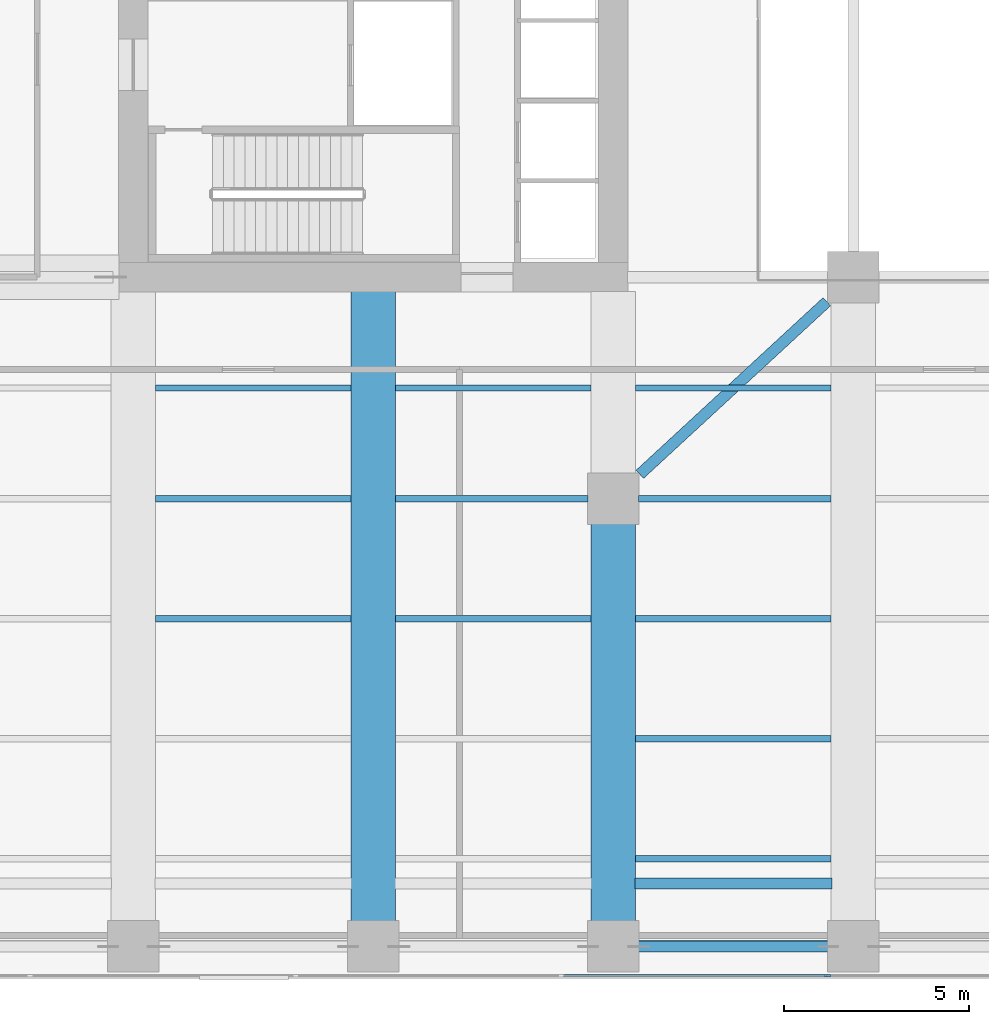
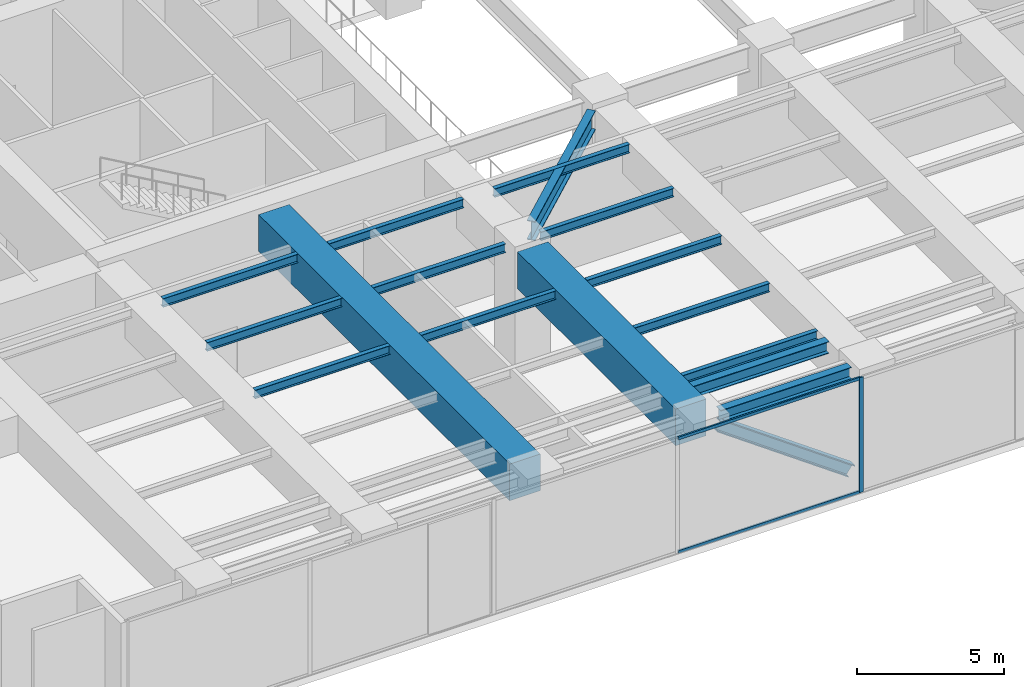
# One storey, part 3 of 31: 16 beams, 4 members, 1 element without a shape of its own.
"""IFC4 building model written with IfcOpenShell, lengths in metres."""

from ifc_helpers import new_model, si_unit, direction, frame, origin, origin_2d, place, context, subcontext, project, spatial, rectangle, i_section, extrude, material, layer, layer_set, material_profile, profile_set, type_object, element, aggregate, save


model = new_model("IFC4")

# Units and contexts
model_context = context("Model", 3, precision=1e-05, world=origin(), true_north=direction((0.0, 1.0)))
body_context = subcontext(model_context, "Body", "Model", "MODEL_VIEW")
ifc_project = project(units=[si_unit("LENGTHUNIT", "METRE"), si_unit("AREAUNIT", "SQUARE_METRE"), si_unit("VOLUMEUNIT", "CUBIC_METRE"), si_unit("PLANEANGLEUNIT", "RADIAN"), si_unit("MASSUNIT", "GRAM", prefix="KILO")], contexts=[model_context])

# Site, building, storey
site_placement = place(None, origin())
site = spatial("IfcSite", under=ifc_project, at=site_placement, CompositionType="ELEMENT")
building_placement = place(site_placement, origin())
building = spatial("IfcBuilding", under=site, at=building_placement, Name="Putna Gate Headquarters", CompositionType="ELEMENT")
storey_placement = place(building_placement, frame((0.0, 0.0, 81.0)))
storey = spatial("IfcBuildingStorey", under=building, at=storey_placement, Name="L19", CompositionType="ELEMENT", Elevation=81.0)

# Beams
ifc_material_1 = material(Name="Steel S355J2", Category="steel")
ifc_material_profile_1 = material_profile(ifc_material_1, i_section(OverallWidth=0.300048828125, OverallDepth=0.800048828125, WebThickness=0.017578125, FlangeThickness=0.032958984375, at=origin_2d()), Name="Steel S355J2")
ifc_profile_set_1 = profile_set([ifc_material_profile_1], Name="Steel S355J2")
beam_type_1 = type_object("IfcBeamType", Name="BM-GIRD-P-HEB800", PredefinedType="USERDEFINED", material=ifc_profile_set_1)
beam_1_placement = place(storey_placement, frame((26.718017578125, 13.662841796875, 4.364990234375), z_axis=(0.734811593747, 0.678271274414, 0.0), x_axis=(-0.678271274414, 0.734811593747, 0.0)))
element("IfcBeam", 1, at=beam_1_placement, inside=storey, type_object=beam_type_1, Name="L19 Core Flank Collector Tie Girder SW", ObjectType="GIRDER", PredefinedType="USERDEFINED", context=body_context, shape_type="SweptSolid", body=[
    extrude(i_section(OverallWidth=0.300048828125, OverallDepth=0.800048828125, WebThickness=0.017578125, FlangeThickness=0.032958984375, at=origin_2d()), origin(), (0.0, 0.0, 1.0), 6.8916015625),
])
ifc_material_profile_2 = material_profile(ifc_material_1, i_section(OverallWidth=0.169921875, OverallDepth=0.360107421875, WebThickness=0.008056640625, FlangeThickness=0.0126953125, at=origin_2d()), Name="Steel S355J2")
ifc_profile_set_2 = profile_set([ifc_material_profile_2], Name="Steel S355J2")
beam_type_2 = type_object("IfcBeamType", Name="BM-SEC-Z2-IPE360", PredefinedType="BEAM", material=ifc_profile_set_2)
for number, where, z_axis, x_axis, name in (
    (2, (13.60400390625, 9.75, 4.5849609375), (1.0, 0.0, 0.0), (0.0, 1.0, 0.0), "L19 South Secondary Beam 2"),
    (3, (13.60400390625, 13.0, 4.5849609375), (1.0, 0.0, 0.0), (0.0, 1.0, 0.0), "L19 South Secondary Beam 2"),
    (4, (13.60400390625, 16.0, 4.5849609375), (1.0, 0.0, 0.0), (0.0, 1.0, 0.0), "L19 South Secondary Beam 2"),
    (5, (20.10400390625, 9.75, 4.5849609375), (1.0, 0.0, 0.0), (0.0, 1.0, 0.0), "L19 South Secondary Beam 3"),
):
    element("IfcBeam", number, at=place(storey_placement, frame(where, z_axis=z_axis, x_axis=x_axis)), inside=storey, type_object=beam_type_2, Name=name, PredefinedType="BEAM", context=body_context, shape_type="SweptSolid", body=[
        extrude(i_section(OverallWidth=0.169921875, OverallDepth=0.360107421875, WebThickness=0.008056640625, FlangeThickness=0.0126953125, at=origin_2d()), origin(), (0.0, 0.0, 1.0), 5.2919921875),
    ])
beam_2_placement = place(storey_placement, frame((20.10400390625, 13.0, 4.5849609375), z_axis=(1.0, 0.0, 0.0), x_axis=(0.0, 1.0, 0.0)))
element("IfcBeam", 6, at=beam_2_placement, inside=storey, type_object=beam_type_2, Name="L19 South Secondary Beam 3", PredefinedType="BEAM", context=body_context, shape_type="SweptSolid", body=[
    extrude(i_section(OverallWidth=0.169921875, OverallDepth=0.360107421875, WebThickness=0.008056640625, FlangeThickness=0.0126953125, at=origin_2d()), origin(), (0.0, 0.0, 1.0), 5.2080078125),
])
for number, where, z_axis, x_axis, name in (
    (7, (20.10400390625, 16.0, 4.5849609375), (1.0, 0.0, 0.0), (0.0, 1.0, 0.0), "L19 South Secondary Beam 3"),
    (8, (26.60400390625, 3.25, 4.5849609375), (1.0, 0.0, 0.0), (0.0, 1.0, 0.0), "L19 South Secondary Beam 4"),
    (9, (26.60400390625, 6.5, 4.5849609375), (1.0, 0.0, 0.0), (0.0, 1.0, 0.0), "L19 South Secondary Beam 4"),
    (10, (26.60400390625, 9.75, 4.5849609375), (1.0, 0.0, 0.0), (0.0, 1.0, 0.0), "L19 South Secondary Beam 4"),
):
    element("IfcBeam", number, at=place(storey_placement, frame(where, z_axis=z_axis, x_axis=x_axis)), inside=storey, type_object=beam_type_2, Name=name, PredefinedType="BEAM", context=body_context, shape_type="SweptSolid", body=[
        extrude(i_section(OverallWidth=0.169921875, OverallDepth=0.360107421875, WebThickness=0.008056640625, FlangeThickness=0.0126953125, at=origin_2d()), origin(), (0.0, 0.0, 1.0), 5.2919921875),
    ])
beam_3_placement = place(storey_placement, frame((26.68798828125, 13.0, 4.5849609375), z_axis=(1.0, 0.0, 0.0), x_axis=(0.0, 1.0, 0.0)))
element("IfcBeam", 11, at=beam_3_placement, inside=storey, type_object=beam_type_2, Name="L19 South Secondary Beam 4", PredefinedType="BEAM", context=body_context, shape_type="SweptSolid", body=[
    extrude(i_section(OverallWidth=0.169921875, OverallDepth=0.360107421875, WebThickness=0.008056640625, FlangeThickness=0.0126953125, at=origin_2d()), origin(), (0.0, 0.0, 1.0), 5.2080078125),
])
beam_4_placement = place(storey_placement, frame((26.60400390625, 16.0, 4.5849609375), z_axis=(1.0, 0.0, 0.0), x_axis=(0.0, 1.0, 0.0)))
element("IfcBeam", 12, at=beam_4_placement, inside=storey, type_object=beam_type_2, Name="L19 South Secondary Beam 4", PredefinedType="BEAM", context=body_context, shape_type="SweptSolid", body=[
    extrude(i_section(OverallWidth=0.169921875, OverallDepth=0.360107421875, WebThickness=0.008056640625, FlangeThickness=0.0126953125, at=origin_2d()), origin(), (0.0, 0.0, 1.0), 5.2919921875),
])
ifc_material_profile_3 = material_profile(ifc_material_1, i_section(OverallWidth=0.300048828125, OverallDepth=0.489990234375, WebThickness=0.011962890625, FlangeThickness=0.02294921875, at=origin_2d()), Name="Steel S355J2")
ifc_profile_set_3 = profile_set([ifc_material_profile_3], Name="Steel S355J2")
beam_type_3 = type_object("IfcBeamType", Name="BM-SPAN-Z2-HEA500", PredefinedType="SPANDREL", material=ifc_profile_set_3)
beam_5_placement = place(storey_placement, frame((26.68798828125, 0.8798828125, 4.52001953125), z_axis=(1.0, 0.0, 0.0), x_axis=(0.0, 1.0, 0.0)))
element("IfcBeam", 13, at=beam_5_placement, inside=storey, type_object=beam_type_3, Name="L19 S Perimeter Spandrel 4", PredefinedType="SPANDREL", context=body_context, shape_type="SweptSolid", body=[
    extrude(i_section(OverallWidth=0.300048828125, OverallDepth=0.489990234375, WebThickness=0.011962890625, FlangeThickness=0.02294921875, at=origin_2d()), origin(), (0.0, 0.0, 1.0), 5.1240234375),
])
beam_6_placement = place(storey_placement, frame((26.5849609375, 2.580078125, 4.52001953125), z_axis=(1.0, 0.0, 0.0), x_axis=(0.0, 1.0, 0.0)))
element("IfcBeam", 14, at=beam_6_placement, inside=storey, type_object=beam_type_3, Name="L19 Setback Edge Beam S4", PredefinedType="SPANDREL", context=body_context, shape_type="SweptSolid", body=[
    extrude(i_section(OverallWidth=0.300048828125, OverallDepth=0.489990234375, WebThickness=0.011962890625, FlangeThickness=0.02294921875, at=origin_2d()), origin(), (0.0, 0.0, 1.0), 5.330078125),
])
ifc_material_2 = material(Name="Concrete C50/60", Category="concrete")
ifc_material_profile_4 = material_profile(ifc_material_2, rectangle(XDim=1.199951171875, YDim=1.52001953125, at=origin_2d()), Name="Concrete C50/60")
ifc_profile_set_4 = profile_set([ifc_material_profile_4], Name="Concrete C50/60")
beam_type_4 = type_object("IfcBeamType", Name="BM-TG-RC1520", PredefinedType="USERDEFINED", material=ifc_profile_set_4)
beam_7_placement = place(storey_placement, frame((19.5, 1.568115234375, 4.0048828125), z_axis=(0.0, 1.0, 0.0), x_axis=(-1.0, 0.0, 0.0)))
element("IfcBeam", 15, at=beam_7_placement, inside=storey, type_object=beam_type_4, Name="L19 South Primary Girder X19", ObjectType="GIRDER", PredefinedType="USERDEFINED", context=body_context, shape_type="SweptSolid", body=[
    extrude(rectangle(XDim=1.199951171875, YDim=1.52001953125, at=origin_2d()), origin(), (0.0, 0.0, 1.0), 17.046875),
])
beam_8_placement = place(storey_placement, frame((26.0, 1.568115234375, 4.0048828125), z_axis=(0.0, 1.0, 0.0), x_axis=(-1.0, 0.0, 0.0)))
element("IfcBeam", 16, at=beam_8_placement, inside=storey, type_object=beam_type_4, Name="L19 South Primary Girder X26-1", ObjectType="GIRDER", PredefinedType="USERDEFINED", context=body_context, shape_type="SweptSolid", body=[
    extrude(rectangle(XDim=1.199951171875, YDim=1.52001953125, at=origin_2d()), origin(), (0.0, 0.0, 1.0), 10.743896484375),
])

# Member
ifc_material_3 = material(Name="Steel S460M", Category="steel")
ifc_material_profile_5 = material_profile(ifc_material_3, i_section(OverallWidth=0.306884765625, OverallDepth=0.47802734375, WebThickness=0.02099609375, FlangeThickness=0.0400390625, at=origin_2d()), Name="Steel S460M")
ifc_profile_set_5 = profile_set([ifc_material_profile_5], Name="Steel S460M")
member_type_1 = type_object("IfcMemberType", Name="MEM-BELT-DIAG-HEM450", PredefinedType="BRACE", material=ifc_profile_set_5)
member_1_placement = place(storey_placement, frame((26.68505859375, 0.8798828125, 4.114990234375), z_axis=(0.813670670629, 0.0, -0.581326104487), x_axis=(0.0, 1.0, 0.0)))
element("IfcMember", 17, at=member_1_placement, inside=storey, type_object=member_type_1, Name="L19 Belt Truss Diagonal S4", PredefinedType="BRACE", context=body_context, shape_type="SweptSolid", body=[
    extrude(i_section(OverallWidth=0.306884765625, OverallDepth=0.47802734375, WebThickness=0.02099609375, FlangeThickness=0.0400390625, at=origin_2d()), origin(), (0.0, 0.0, 1.0), 6.3046875),
])

# Curtain wall, members
ifc_material_4 = material(Name="Anodised bronze aluminium curtain wall", Category="aluminium")
ifc_layer = layer(ifc_material_4, 0.159912109375)
ifc_layer_set = layer_set([ifc_layer], Name="Anodised bronze aluminium curtain wall")
curtain_wall_type = type_object("IfcCurtainWallType", Name="CW-SYS-CRN", PredefinedType="USERDEFINED", material=ifc_layer_set)
curtain_wall_placement = place(storey_placement, origin())
curtain_wall = element("IfcCurtainWall", 18, at=curtain_wall_placement, inside=storey, type_object=curtain_wall_type, Name="L19 Acoustic Louvre South Enclosure", ObjectType="STICK CURTAIN WALL", PredefinedType="USERDEFINED")
ifc_material_5 = material(Name="Anodised bronze aluminium EN AW-6060", Category="aluminium")
ifc_material_profile_6 = material_profile(ifc_material_5, rectangle(XDim=0.06494140625, YDim=0.159912109375, at=origin_2d()), Name="Anodised bronze aluminium EN AW-6060")
ifc_profile_set_6 = profile_set([ifc_material_profile_6], Name="Anodised bronze aluminium EN AW-6060")
member_type_2 = type_object("IfcMemberType", Name="MULL-CWM-CR", PredefinedType="MULLION", material=ifc_profile_set_6)
member_2_placement = place(storey_placement, frame((31.800048828125, 0.080078125, 0.0), z_axis=(0.0, 0.0, 1.0), x_axis=(0.0, 1.0, 0.0)))
member_2 = element("IfcMember", 19, at=member_2_placement, type_object=member_type_2, Name="CWS-CR mullion 5", PredefinedType="MULLION", context=body_context, shape_type="SweptSolid", body=[
    extrude(rectangle(XDim=0.06494140625, YDim=0.159912109375, at=origin_2d()), origin(), (0.0, 0.0, 1.0), 4.764892578125),
])
ifc_material_profile_7 = material_profile(ifc_material_5, rectangle(XDim=0.06494140625, YDim=0.1201171875, at=origin_2d()), Name="Anodised bronze aluminium EN AW-6060")
ifc_profile_set_7 = profile_set([ifc_material_profile_7], Name="Anodised bronze aluminium EN AW-6060")
member_type_3 = type_object("IfcMemberType", Name="TRAN-CWT-CR", PredefinedType="USERDEFINED", material=ifc_profile_set_7)
member_3_placement = place(storey_placement, frame((24.632568359375, 0.080078125, 0.032470703125), z_axis=(1.0, 0.0, 0.0), x_axis=(0.0, 1.0, 0.0)))
member_3 = element("IfcMember", 20, at=member_3_placement, type_object=member_type_3, Name="CWS-CR transom 4.1", ObjectType="TRANSOM", PredefinedType="USERDEFINED", context=body_context, shape_type="SweptSolid", body=[
    extrude(rectangle(XDim=0.06494140625, YDim=0.1201171875, at=origin_2d()), origin(), (0.0, 0.0, 1.0), 7.135009765625),
])
member_4_placement = place(storey_placement, frame((24.632568359375, 0.080078125, 4.732421875), z_axis=(1.0, 0.0, 0.0), x_axis=(0.0, 1.0, 0.0)))
member_4 = element("IfcMember", 21, at=member_4_placement, type_object=member_type_3, Name="CWS-CR transom 4.2", ObjectType="TRANSOM", PredefinedType="USERDEFINED", context=body_context, shape_type="SweptSolid", body=[
    extrude(rectangle(XDim=0.06494140625, YDim=0.1201171875, at=origin_2d()), origin(), (0.0, 0.0, 1.0), 7.135009765625),
])
aggregate(curtain_wall, [member_2, member_3, member_4])

save(model, "model.ifc")
